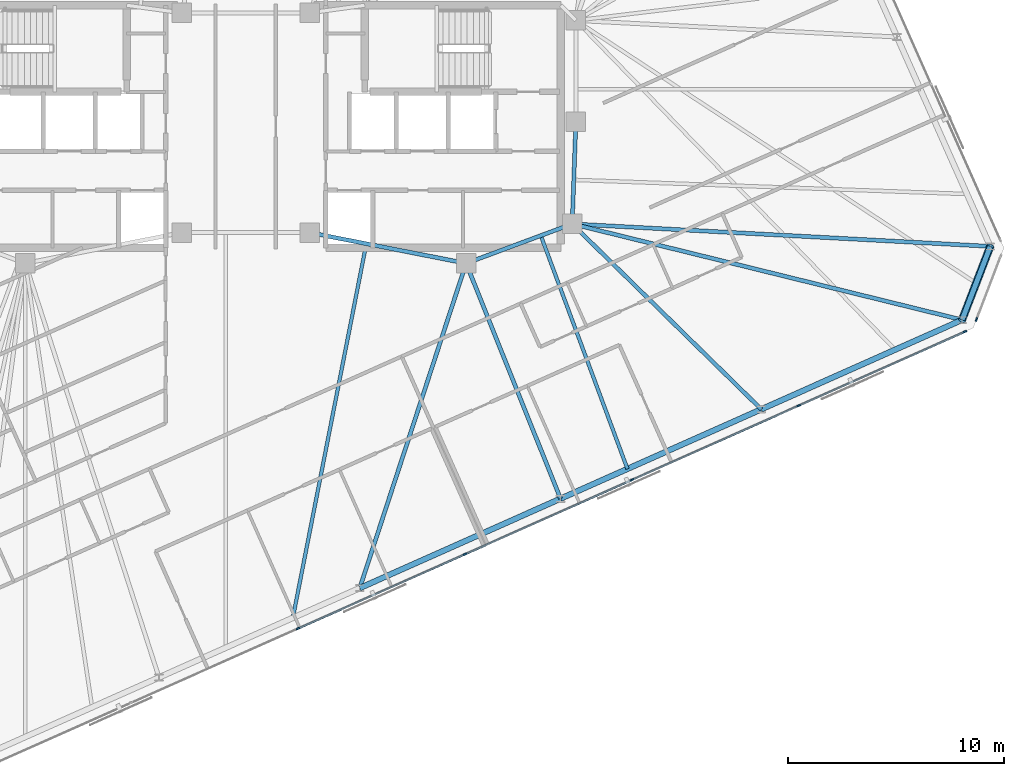
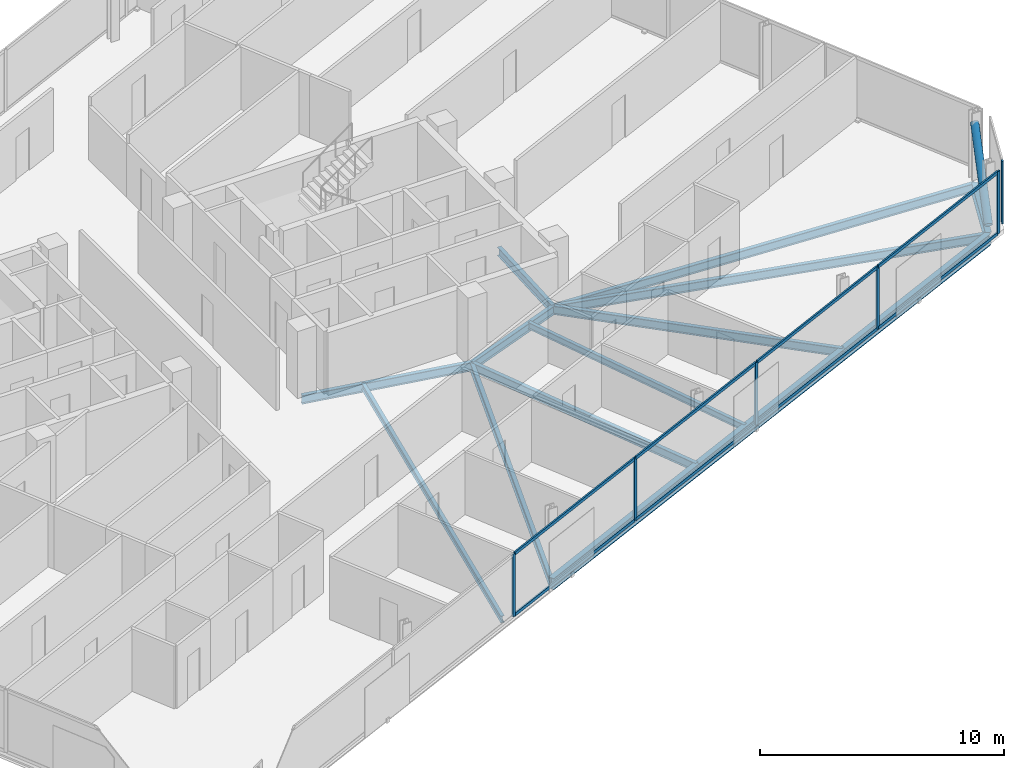
# One storey, part 7 of 19: 15 members, 14 beams, 2 elements without a shape of their own.
"""IFC4 building model written with IfcOpenShell, lengths in metres."""

from ifc_helpers import new_model, si_unit, direction, frame, origin, origin_2d, place, context, subcontext, project, spatial, rectangle, hollow_circle, i_section, extrude, material, material_profile, profile_set, type_object, element, aggregate, save


model = new_model("IFC4")

# Units and contexts
model_context = context("Model", 3, precision=1e-05, world=origin(), true_north=direction((0.0, 1.0)))
body_context = subcontext(model_context, "Body", "Model", "MODEL_VIEW")
ifc_project = project(units=[si_unit("LENGTHUNIT", "METRE"), si_unit("AREAUNIT", "SQUARE_METRE"), si_unit("VOLUMEUNIT", "CUBIC_METRE"), si_unit("PLANEANGLEUNIT", "RADIAN"), si_unit("MASSUNIT", "GRAM", prefix="KILO")], contexts=[model_context])

# Site, building, storey
site_placement = place(None, origin())
site = spatial("IfcSite", under=ifc_project, at=site_placement, CompositionType="ELEMENT")
building_placement = place(site_placement, origin())
building = spatial("IfcBuilding", under=site, at=building_placement, Name="Menara Jurai Vektor", CompositionType="ELEMENT")
storey_placement = place(building_placement, frame((0.0, 0.0, 281.89990234375)))
storey = spatial("IfcBuildingStorey", under=building, at=storey_placement, Name="L75", CompositionType="ELEMENT", Elevation=281.89990234375)

# Curtain wall, members
ifc_material_1 = material(Name="Anodised Pale Aluminium & Low-E Double Glazing", Category="aluminium")
curtain_wall_type = type_object("IfcCurtainWallType", Name="CW-BLK5", PredefinedType="NOTDEFINED", material=ifc_material_1)
curtain_wall_1_placement = place(storey_placement, origin())
curtain_wall_1 = element("IfcCurtainWall", 1, at=curtain_wall_1_placement, inside=storey, type_object=curtain_wall_type, Name="Unitised Curtain Wall L75 F01", PredefinedType="NOTDEFINED")
ifc_material_2 = material(Name="Anodised Pale Aluminium Mullion", Category="aluminium")
ifc_material_profile_1 = material_profile(ifc_material_2, rectangle(XDim=0.074951171875, YDim=0.175048828125, at=origin_2d()), Name="ALU MUL 75x175")
ifc_profile_set_1 = profile_set([ifc_material_profile_1], Name="Anodised Pale Aluminium Mullion")
member_type_1 = type_object("IfcMemberType", Name="CW-BLK5-MUL", PredefinedType="MULLION", material=ifc_profile_set_1)
member_1_placement = place(storey_placement, frame((2.417724609375, -23.190185546875, 0.0), z_axis=(0.0, 0.0, 1.0), x_axis=(-0.406735498684, 0.913545967158, 0.0)))
member_1 = element("IfcMember", 2, at=member_1_placement, type_object=member_type_1, Name="CW-05 mullion 3", PredefinedType="MULLION", context=body_context, shape_type="SweptSolid", body=[
    extrude(rectangle(XDim=0.074951171875, YDim=0.175048828125, at=origin_2d()), origin(), (0.0, 0.0, 1.0), 3.125),
])
member_2_placement = place(storey_placement, frame((10.1279296875, -19.75732421875, 0.0), z_axis=(0.0, 0.0, 1.0), x_axis=(-0.406735498684, 0.913545967158, 0.0)))
member_2 = element("IfcMember", 3, at=member_2_placement, type_object=member_type_1, Name="CW-05 mullion 4", PredefinedType="MULLION", context=body_context, shape_type="SweptSolid", body=[
    extrude(rectangle(XDim=0.074951171875, YDim=0.175048828125, at=origin_2d()), origin(), (0.0, 0.0, 1.0), 3.125),
])
member_3_placement = place(storey_placement, frame((17.83837890625, -16.324462890625, 0.0), z_axis=(0.0, 0.0, 1.0), x_axis=(-0.406735498684, 0.913545967158, 0.0)))
member_3 = element("IfcMember", 4, at=member_3_placement, type_object=member_type_1, Name="CW-05 mullion 5", PredefinedType="MULLION", context=body_context, shape_type="SweptSolid", body=[
    extrude(rectangle(XDim=0.074951171875, YDim=0.175048828125, at=origin_2d()), origin(), (0.0, 0.0, 1.0), 3.125),
])
member_4_placement = place(storey_placement, frame((25.548583984375, -12.8916015625, 0.0), z_axis=(0.0, 0.0, 1.0), x_axis=(-0.406735498684, 0.913545967158, 0.0)))
member_4 = element("IfcMember", 5, at=member_4_placement, type_object=member_type_1, Name="CW-05 mullion 6", PredefinedType="MULLION", context=body_context, shape_type="SweptSolid", body=[
    extrude(rectangle(XDim=0.074951171875, YDim=0.175048828125, at=origin_2d()), origin(), (0.0, 0.0, 1.0), 3.125),
])
member_5_placement = place(storey_placement, frame((33.224853515625, -9.47412109375, 0.0), z_axis=(0.0, 0.0, 1.0), x_axis=(-0.406735498684, 0.913545967158, 0.0)))
member_5 = element("IfcMember", 6, at=member_5_placement, type_object=member_type_1, Name="CW-05 mullion 7", PredefinedType="MULLION", context=body_context, shape_type="SweptSolid", body=[
    extrude(rectangle(XDim=0.074951171875, YDim=0.175048828125, at=origin_2d()), origin(), (0.0, 0.0, 1.0), 3.125),
])

# Curtain wall, member
curtain_wall_2_placement = place(storey_placement, origin())
curtain_wall_2 = element("IfcCurtainWall", 7, at=curtain_wall_2_placement, inside=storey, type_object=curtain_wall_type, Name="Unitised Curtain Wall L75 F02", PredefinedType="NOTDEFINED")
member_6_placement = place(storey_placement, frame((33.755859375, -8.914306640625, 0.0), z_axis=(0.0, 0.0, 1.0), x_axis=(-0.933578193639, 0.358373766287, 0.0)))
member_6 = element("IfcMember", 8, at=member_6_placement, type_object=member_type_1, Name="CW-05 mullion 1", PredefinedType="MULLION", context=body_context, shape_type="SweptSolid", body=[
    extrude(rectangle(XDim=0.074951171875, YDim=0.175048828125, at=origin_2d()), origin(), (0.0, 0.0, 1.0), 3.125),
])
aggregate(curtain_wall_2, [member_6])

# Member
ifc_material_3 = material(Name="Anodised Pale Aluminium Transom", Category="aluminium")
ifc_material_profile_2 = material_profile(ifc_material_3, rectangle(XDim=0.074951171875, YDim=0.155029296875, at=origin_2d()), Name="ALU TRN 75x155")
ifc_profile_set_2 = profile_set([ifc_material_profile_2], Name="Anodised Pale Aluminium Transom")
member_type_2 = type_object("IfcMemberType", Name="CW-BLK5-TRN", PredefinedType="USERDEFINED", material=ifc_profile_set_2)
member_7_placement = place(storey_placement, frame((2.451904296875, -23.175048828125, 0.03759765625), z_axis=(0.913546575494, 0.406734132331, 0.0), x_axis=(-0.406734132331, 0.913546575494, 0.0)))
member_7 = element("IfcMember", 9, at=member_7_placement, type_object=member_type_2, Name="CW-05 transom 3.1", ObjectType="TRANSOM", PredefinedType="USERDEFINED", context=body_context, shape_type="SweptSolid", body=[
    extrude(rectangle(XDim=0.074951171875, YDim=0.155029296875, at=origin_2d()), origin(), (0.0, 0.0, 1.0), 8.364990234375),
])

member_8_placement = place(storey_placement, frame((2.451904296875, -23.175048828125, 3.087646484375), z_axis=(0.913546575494, 0.406734132331, 0.0), x_axis=(-0.406734132331, 0.913546575494, 0.0)))
member_8 = element("IfcMember", 10, at=member_8_placement, type_object=member_type_2, Name="CW-05 transom 3.2", ObjectType="TRANSOM", PredefinedType="USERDEFINED", context=body_context, shape_type="SweptSolid", body=[
    extrude(rectangle(XDim=0.074951171875, YDim=0.155029296875, at=origin_2d()), origin(), (0.0, 0.0, 1.0), 8.364990234375),
])

member_9_placement = place(storey_placement, frame((10.162353515625, -19.7421875, 0.03759765625), z_axis=(0.913541747007, 0.406744977198, 0.0), x_axis=(-0.406744977198, 0.913541747007, 0.0)))
member_9 = element("IfcMember", 11, at=member_9_placement, type_object=member_type_2, Name="CW-05 transom 4.1", ObjectType="TRANSOM", PredefinedType="USERDEFINED", context=body_context, shape_type="SweptSolid", body=[
    extrude(rectangle(XDim=0.074951171875, YDim=0.155029296875, at=origin_2d()), origin(), (0.0, 0.0, 1.0), 8.36474609375),
])

member_10_placement = place(storey_placement, frame((10.162353515625, -19.7421875, 3.087646484375), z_axis=(0.913541747007, 0.406744977198, 0.0), x_axis=(-0.406744977198, 0.913541747007, 0.0)))
member_10 = element("IfcMember", 12, at=member_10_placement, type_object=member_type_2, Name="CW-05 transom 4.2", ObjectType="TRANSOM", PredefinedType="USERDEFINED", context=body_context, shape_type="SweptSolid", body=[
    extrude(rectangle(XDim=0.074951171875, YDim=0.155029296875, at=origin_2d()), origin(), (0.0, 0.0, 1.0), 8.36474609375),
])

member_11_placement = place(storey_placement, frame((17.87255859375, -16.309326171875, 0.03759765625), z_axis=(0.913546575494, 0.406734132331, 0.0), x_axis=(-0.406734132331, 0.913546575494, 0.0)))
member_11 = element("IfcMember", 13, at=member_11_placement, type_object=member_type_2, Name="CW-05 transom 5.1", ObjectType="TRANSOM", PredefinedType="USERDEFINED", context=body_context, shape_type="SweptSolid", body=[
    extrude(rectangle(XDim=0.074951171875, YDim=0.155029296875, at=origin_2d()), origin(), (0.0, 0.0, 1.0), 8.364990234375),
])

member_12_placement = place(storey_placement, frame((17.87255859375, -16.309326171875, 3.087646484375), z_axis=(0.913546575494, 0.406734132331, 0.0), x_axis=(-0.406734132331, 0.913546575494, 0.0)))
member_12 = element("IfcMember", 14, at=member_12_placement, type_object=member_type_2, Name="CW-05 transom 5.2", ObjectType="TRANSOM", PredefinedType="USERDEFINED", context=body_context, shape_type="SweptSolid", body=[
    extrude(rectangle(XDim=0.074951171875, YDim=0.155029296875, at=origin_2d()), origin(), (0.0, 0.0, 1.0), 8.364990234375),
])

member_13_placement = place(storey_placement, frame((25.5830078125, -12.87646484375, 0.03759765625), z_axis=(0.91353811338, 0.406753138159, 0.0), x_axis=(-0.406753138159, 0.91353811338, 0.0)))
member_13 = element("IfcMember", 15, at=member_13_placement, type_object=member_type_2, Name="CW-05 transom 6.1", ObjectType="TRANSOM", PredefinedType="USERDEFINED", context=body_context, shape_type="SweptSolid", body=[
    extrude(rectangle(XDim=0.074951171875, YDim=0.155029296875, at=origin_2d()), origin(), (0.0, 0.0, 1.0), 8.327392578125),
])

member_14_placement = place(storey_placement, frame((25.5830078125, -12.87646484375, 3.087646484375), z_axis=(0.91353811338, 0.406753138159, 0.0), x_axis=(-0.406753138159, 0.91353811338, 0.0)))
member_14 = element("IfcMember", 16, at=member_14_placement, type_object=member_type_2, Name="CW-05 transom 6.2", ObjectType="TRANSOM", PredefinedType="USERDEFINED", context=body_context, shape_type="SweptSolid", body=[
    extrude(rectangle(XDim=0.074951171875, YDim=0.155029296875, at=origin_2d()), origin(), (0.0, 0.0, 1.0), 8.327392578125),
])

aggregate(curtain_wall_1, [member_1, member_2, member_3, member_4, member_5, member_7, member_8, member_9, member_10, member_11, member_12, member_13, member_14])

# Beams
ifc_material_4 = material(Name="Steel S355", Category="steel")
ifc_material_profile_3 = material_profile(ifc_material_4, i_section(OverallWidth=0.18505859375, OverallDepth=0.429931640625, WebThickness=0.010986328125, FlangeThickness=0.01806640625, at=origin_2d()), Name="PG 430x185x76")
ifc_profile_set_3 = profile_set([ifc_material_profile_3], Name="Steel S355")
beam_type_1 = type_object("IfcBeamType", Name="STR-BM-430", PredefinedType="BEAM", material=ifc_profile_set_3)
beam_1_placement = place(storey_placement, frame((15.080078125, -4.5, -0.43994140625), z_axis=(0.035977314146, 0.999352606874, 0.0), x_axis=(-0.999352606874, 0.035977314146, 0.0)))
element("IfcBeam", 17, at=beam_1_placement, inside=storey, type_object=beam_type_1, Name="Core Ring Header Girder L75-CHE-E2", PredefinedType="BEAM", context=body_context, shape_type="SweptSolid", body=[
    extrude(i_section(OverallWidth=0.18505859375, OverallDepth=0.429931640625, WebThickness=0.010986328125, FlangeThickness=0.01806640625, at=origin_2d()), origin(), (0.0, 0.0, 1.0), 4.72314453125),
])
beam_2_placement = place(storey_placement, frame((10.179931640625, -6.320068359375, -0.43994140625), z_axis=(0.937424400887, 0.348188874925, 0.0), x_axis=(-0.348188874925, 0.937424400887, 0.0)))
element("IfcBeam", 18, at=beam_2_placement, inside=storey, type_object=beam_type_1, Name="Core Ring Header Girder L75-CHE-S1", PredefinedType="BEAM", context=body_context, shape_type="SweptSolid", body=[
    extrude(i_section(OverallWidth=0.18505859375, OverallDepth=0.429931640625, WebThickness=0.010986328125, FlangeThickness=0.01806640625, at=origin_2d()), origin(), (0.0, 0.0, 1.0), 5.227294921875),
])
beam_3_placement = place(storey_placement, frame((2.949951171875, -4.89990234375, -0.43994140625), z_axis=(0.981249044334, -0.192744164614, 0.0), x_axis=(0.192744164614, 0.981249044334, 0.0)))
element("IfcBeam", 19, at=beam_3_placement, inside=storey, type_object=beam_type_1, Name="Core Ring Header Girder L75-CHE-S2", PredefinedType="BEAM", context=body_context, shape_type="SweptSolid", body=[
    extrude(i_section(OverallWidth=0.18505859375, OverallDepth=0.429931640625, WebThickness=0.010986328125, FlangeThickness=0.01806640625, at=origin_2d()), origin(), (0.0, 0.0, 1.0), 7.3681640625),
])
beam_4_placement = place(storey_placement, frame((5.267578125, -21.3193359375, -0.43994140625), z_axis=(0.311239486704, 0.950331511587, 0.0), x_axis=(-0.950331511587, 0.311239486704, 0.0)))
element("IfcBeam", 20, at=beam_4_placement, inside=storey, type_object=beam_type_1, Name="Radial Floor Girder L75-S3", PredefinedType="BEAM", context=body_context, shape_type="SweptSolid", body=[
    extrude(i_section(OverallWidth=0.18505859375, OverallDepth=0.429931640625, WebThickness=0.010986328125, FlangeThickness=0.01806640625, at=origin_2d()), origin(), (0.0, 0.0, 1.0), 15.783203125),
])
beam_5_placement = place(storey_placement, frame((14.541015625, -17.1904296875, -0.43994140625), z_axis=(-0.372342852726, 0.928095253745, 0.0), x_axis=(-0.928095253745, -0.372342852726, 0.0)))
element("IfcBeam", 21, at=beam_5_placement, inside=storey, type_object=beam_type_1, Name="Radial Floor Girder L75-S4", PredefinedType="BEAM", context=body_context, shape_type="SweptSolid", body=[
    extrude(i_section(OverallWidth=0.18505859375, OverallDepth=0.429931640625, WebThickness=0.010986328125, FlangeThickness=0.01806640625, at=origin_2d()), origin(), (0.0, 0.0, 1.0), 11.712646484375),
])
beam_6_placement = place(storey_placement, frame((23.814697265625, -13.061767578125, -0.43994140625), z_axis=(-0.714137598149, 0.70000535063, 0.0), x_axis=(-0.70000535063, -0.714137598149, 0.0)))
element("IfcBeam", 22, at=beam_6_placement, inside=storey, type_object=beam_type_1, Name="Radial Floor Girder L75-S5", PredefinedType="BEAM", context=body_context, shape_type="SweptSolid", body=[
    extrude(i_section(OverallWidth=0.18505859375, OverallDepth=0.429931640625, WebThickness=0.010986328125, FlangeThickness=0.01806640625, at=origin_2d()), origin(), (0.0, 0.0, 1.0), 12.23095703125),
])
beam_7_placement = place(storey_placement, frame((33.088134765625, -8.932861328125, -0.43994140625), z_axis=(-0.971013515776, 0.239024584888, 0.0), x_axis=(-0.239024584888, -0.971013515776, 0.0)))
element("IfcBeam", 23, at=beam_7_placement, inside=storey, type_object=beam_type_1, Name="Radial Floor Girder L75-S6", PredefinedType="BEAM", context=body_context, shape_type="SweptSolid", body=[
    extrude(i_section(OverallWidth=0.18505859375, OverallDepth=0.429931640625, WebThickness=0.010986328125, FlangeThickness=0.01806640625, at=origin_2d()), origin(), (0.0, 0.0, 1.0), 18.545654296875),
])
beam_8_placement = place(storey_placement, frame((34.3916015625, -5.536865234375, -0.43994140625), z_axis=(-0.998561718759, 0.053614306189, 0.0), x_axis=(-0.053614306189, -0.998561718759, 0.0)))
element("IfcBeam", 24, at=beam_8_placement, inside=storey, type_object=beam_type_1, Name="Radial Floor Girder L75-E1", PredefinedType="BEAM", context=body_context, shape_type="SweptSolid", body=[
    extrude(i_section(OverallWidth=0.18505859375, OverallDepth=0.429931640625, WebThickness=0.010986328125, FlangeThickness=0.01806640625, at=origin_2d()), origin(), (0.0, 0.0, 1.0), 19.33935546875),
])

# Member
ifc_material_5 = material(Name="Steel S460", Category="steel")
ifc_material_profile_4 = material_profile(ifc_material_5, hollow_circle(Radius=0.177734375, WallThickness=0.01611328125, at=origin_2d()), Name="CHS 355.6x16")
ifc_profile_set_4 = profile_set([ifc_material_profile_4], Name="Steel S460")
member_type_3 = type_object("IfcMemberType", Name="STR-BR-356", PredefinedType="BRACE", material=ifc_profile_set_4)
member_15_placement = place(storey_placement, frame((33.088134765625, -8.932861328125, 0.150146484375), z_axis=(0.290575939475, 0.757054002265, 0.585179340931), x_axis=(-0.933592747566, 0.358335850414, 0.0)))
element("IfcMember", 25, at=member_15_placement, inside=storey, type_object=member_type_3, Name="Exoskeleton Corner Brace L75-1", PredefinedType="BRACE", context=body_context, shape_type="SweptSolid", body=[
    extrude(hollow_circle(Radius=0.177734375, WallThickness=0.01611328125, at=origin_2d()), origin(), (0.0, 0.0, 1.0), 4.48583984375),
])

# Beams
ifc_material_profile_5 = material_profile(ifc_material_4, i_section(OverallWidth=0.1650390625, OverallDepth=0.330078125, WebThickness=0.009033203125, FlangeThickness=0.013916015625, at=origin_2d()), Name="PG 330x165x46")
ifc_profile_set_5 = profile_set([ifc_material_profile_5], Name="Steel S355")
beam_type_2 = type_object("IfcBeamType", Name="STR-JS-330", PredefinedType="JOIST", material=ifc_profile_set_5)
beam_9_placement = place(storey_placement, frame((2.176513671875, -22.695556640625, -0.389892578125), z_axis=(0.192710503651, 0.981255655669, 0.0), x_axis=(-0.981255655669, 0.192710503651, 0.0)))
element("IfcBeam", 26, at=beam_9_placement, inside=storey, type_object=beam_type_2, Name="Radial Secondary Floor Joist L75-JS04", PredefinedType="JOIST", context=body_context, shape_type="SweptSolid", body=[
    extrude(i_section(OverallWidth=0.1650390625, OverallDepth=0.330078125, WebThickness=0.009033203125, FlangeThickness=0.013916015625, at=origin_2d()), origin(), (0.0, 0.0, 1.0), 17.61083984375),
])
beam_10_placement = place(storey_placement, frame((17.632080078125, -15.814208984375, -0.389892578125), z_axis=(-0.348172664726, 0.937430421705, 0.0), x_axis=(-0.937430421705, -0.348172664726, 0.0)))
element("IfcBeam", 27, at=beam_10_placement, inside=storey, type_object=beam_type_2, Name="Radial Secondary Floor Joist L75-JS05", PredefinedType="JOIST", context=body_context, shape_type="SweptSolid", body=[
    extrude(i_section(OverallWidth=0.1650390625, OverallDepth=0.330078125, WebThickness=0.009033203125, FlangeThickness=0.013916015625, at=origin_2d()), origin(), (0.0, 0.0, 1.0), 11.494873046875),
])
ifc_material_profile_6 = material_profile(ifc_material_4, i_section(OverallWidth=0.260009765625, OverallDepth=0.570068359375, WebThickness=0.013916015625, FlangeThickness=0.02392578125, at=origin_2d()), Name="PG 570x260x145")
ifc_profile_set_6 = profile_set([ifc_material_profile_6], Name="Steel S355")
beam_type_3 = type_object("IfcBeamType", Name="STR-SP-570", PredefinedType="SPANDREL", material=ifc_profile_set_6)
for number, where, z_axis, x_axis, name in (
    (28, (5.267578125, -21.3193359375, -0.510009765625), (0.913541582548, 0.406745346568, 0.0), (-0.406745346568, 0.913541582548, 0.0), "Exoskeleton Spandrel Beam L75-03"),
    (29, (14.541015625, -17.1904296875, -0.510009765625), (0.913554497648, 0.406716338284, 0.0), (-0.406716338284, 0.913554497648, 0.0), "Exoskeleton Spandrel Beam L75-04"),
    (30, (23.814697265625, -13.061767578125, -0.510009765625), (0.913541582548, 0.406745346568, 0.0), (-0.406745346568, 0.913541582548, 0.0), "Exoskeleton Spandrel Beam L75-05"),
):
    element("IfcBeam", number, at=place(storey_placement, frame(where, z_axis=z_axis, x_axis=x_axis)), inside=storey, type_object=beam_type_3, Name=name, PredefinedType="SPANDREL", context=body_context, shape_type="SweptSolid", body=[
        extrude(i_section(OverallWidth=0.260009765625, OverallDepth=0.570068359375, WebThickness=0.013916015625, FlangeThickness=0.02392578125, at=origin_2d()), origin(), (0.0, 0.0, 1.0), 10.151123046875),
    ])
beam_11_placement = place(storey_placement, frame((33.088134765625, -8.932861328125, -0.510009765625), z_axis=(0.358335850414, 0.933592747566, 0.0), x_axis=(-0.933592747566, 0.358335850414, 0.0)))
element("IfcBeam", 31, at=beam_11_placement, inside=storey, type_object=beam_type_3, Name="Exoskeleton Spandrel Beam L75-06", PredefinedType="SPANDREL", context=body_context, shape_type="SweptSolid", body=[
    extrude(i_section(OverallWidth=0.260009765625, OverallDepth=0.570068359375, WebThickness=0.013916015625, FlangeThickness=0.02392578125, at=origin_2d()), origin(), (0.0, 0.0, 1.0), 3.637451171875),
])

save(model, "model.ifc")
